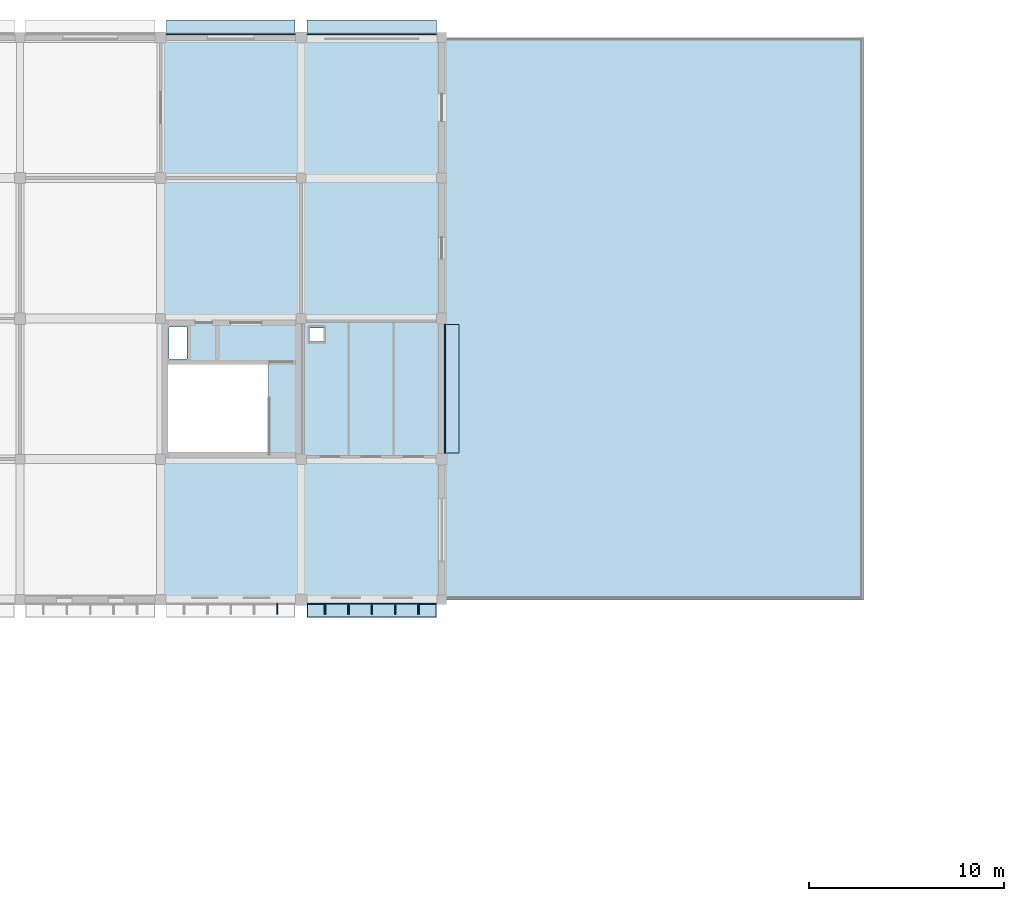
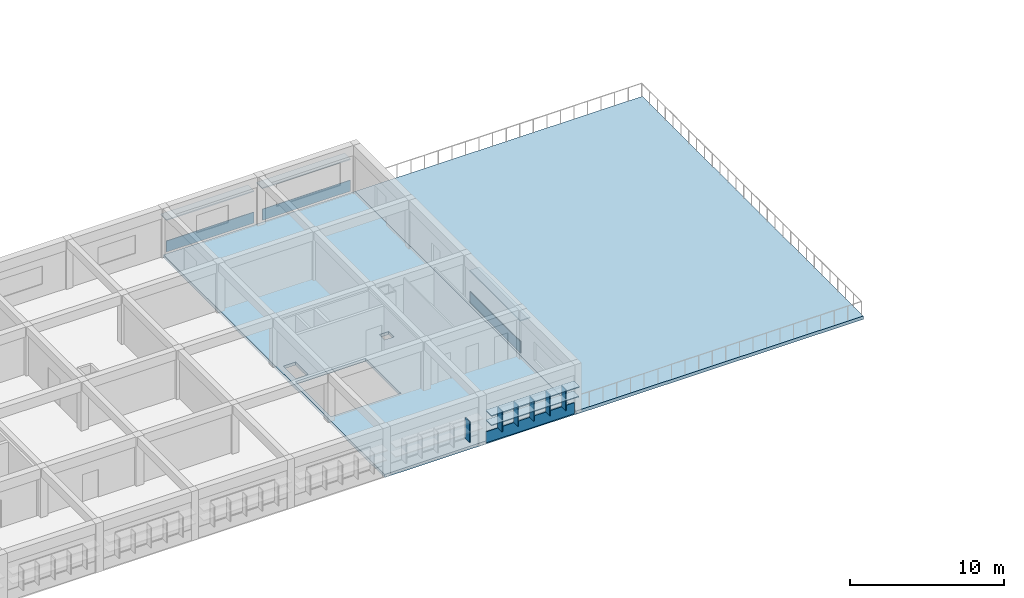
# One storey, part 9 of 22: 15 plates, 2 slabs.
"""IFC4 building model written with IfcOpenShell, lengths in metres."""

import ifcopenshell
import ifcopenshell.guid

model = None  # the IFC model being written
_history = None  # IfcOwnerHistory: only IFC2X3 demands one
_inside = {}  # id of a spatial element -> (the spatial element, [elements in it])
_under = {}  # id of a project, library or spatial element -> (it, [spatial elements below it])
_declared = {}  # id of a project -> (the project, [libraries it declares])
_typed = {}  # id of a type object -> (the type object, [elements of that type])
_made_of = {}  # id of a material, layer set ... -> (it, [elements and type objects made of it])


def new_model(schema):
    """Start an empty IFC model of exactly this schema.

    Asked for "IFC4X3", IfcOpenShell would pick the latest addendum, in which some entities
    have other attributes; the version numbers below select the first issue.
    IFC2X3 requires an IfcOwnerHistory on every rooted entity: one is made here for all.
    """
    global model, _history
    if schema == "IFC4X3":
        model = ifcopenshell.file(schema_version=(4, 3, 0, 0))
    else:
        model = ifcopenshell.file(schema=schema)
    _inside.clear()
    _under.clear()
    _declared.clear()
    _typed.clear()
    _made_of.clear()
    _history = None
    if model.schema == "IFC2X3":
        org = make("IfcOrganization", Name="unknown")
        user = make(
            "IfcPersonAndOrganization",
            ThePerson=make("IfcPerson", FamilyName="unknown"),
            TheOrganization=org,
        )
        app = make(
            "IfcApplication",
            ApplicationDeveloper=org,
            Version="unknown",
            ApplicationFullName="unknown",
            ApplicationIdentifier="unknown",
        )
        _history = make(
            "IfcOwnerHistory",
            OwningUser=user,
            OwningApplication=app,
            ChangeAction="ADDED",
            CreationDate=0,
        )
    return model


def make(cls, **values):
    """One entity of the class cls with the attributes given. An attribute that is None is left unset."""
    return model.create_entity(
        cls, **{name: value for name, value in values.items() if value is not None}
    )


def rooted(cls, **values):
    """An entity with a GlobalId (a new one), such as an element, a storey or a relation."""
    return make(cls, GlobalId=ifcopenshell.guid.new(), OwnerHistory=_history, **values)


def si_unit(unit_type, name, prefix=None):
    """IfcSIUnit, for example si_unit("LENGTHUNIT", "METRE", prefix="MILLI")."""
    return make("IfcSIUnit", UnitType=unit_type, Prefix=prefix, Name=name)


def assignment(units):
    """IfcUnitAssignment: the units of a project."""
    return None if units is None else make("IfcUnitAssignment", Units=units)


def point(xyz):
    """IfcCartesianPoint."""
    return None if xyz is None else make("IfcCartesianPoint", Coordinates=xyz)


def direction(xyz):
    """IfcDirection."""
    return None if xyz is None else make("IfcDirection", DirectionRatios=xyz)


def frame(location, z_axis=None, x_axis=None):
    """IfcAxis2Placement3D, a coordinate frame: its origin and axes. An axis left out is left unset."""
    return make(
        "IfcAxis2Placement3D",
        Location=point(location),
        Axis=direction(z_axis),
        RefDirection=direction(x_axis),
    )


def frame_2d(location, x_axis=None):
    """IfcAxis2Placement2D, a coordinate frame in the plane: its origin and x axis."""
    return make(
        "IfcAxis2Placement2D", Location=point(location), RefDirection=direction(x_axis)
    )


def origin():
    """The frame at (0, 0, 0) with its axes left unset."""
    return frame((0.0, 0.0, 0.0))


def origin_2d():
    """The frame at (0, 0) in the plane with its x axis left unset."""
    return frame_2d((0.0, 0.0))


def place(relative_to, where):
    """IfcLocalPlacement: puts the frame where relative to a parent placement (None: the world)."""
    return make(
        "IfcLocalPlacement", PlacementRelTo=relative_to, RelativePlacement=where
    )


def context(
    kind, dimensions, precision=None, world=None, true_north=None, identifier=None
):
    """IfcGeometricRepresentationContext, for example the 3D "Model" context."""
    return make(
        "IfcGeometricRepresentationContext",
        ContextIdentifier=identifier,
        ContextType=kind,
        CoordinateSpaceDimension=dimensions,
        Precision=precision,
        WorldCoordinateSystem=world,
        TrueNorth=true_north,
    )


def subcontext(parent, identifier, kind, view, scale=None):
    """IfcGeometricRepresentationSubContext, for example "Body" below "Model"."""
    return make(
        "IfcGeometricRepresentationSubContext",
        ContextIdentifier=identifier,
        ContextType=kind,
        ParentContext=parent,
        TargetScale=scale,
        TargetView=view,
    )


def project(units=None, contexts=None):
    """IfcProject with its units and contexts."""
    return rooted(
        "IfcProject",
        Name="project",
        RepresentationContexts=contexts,
        UnitsInContext=assignment(units),
    )


def spatial(cls, under=None, at=None, **own):
    """A site, building, storey or space (cls), placed at a placement, below another one or the project."""
    s = rooted(cls, ObjectPlacement=at, **own)
    if under is not None:
        _under.setdefault(under.id(), (under, []))[1].append(s)
    return s


def polyline(points):
    """IfcPolyline through the points."""
    return make("IfcPolyline", Points=[point(p) for p in points])


def profile(cls, at=None, kind="AREA", **sizes):
    """A parametric profile (cls). Its sizes go by their IFC names, for example OverallWidth=200.0."""
    return make(cls, ProfileType=kind, Position=at, **sizes)


def rectangle(**sizes):
    """IfcRectangleProfileDef."""
    return profile("IfcRectangleProfileDef", **sizes)


def outline(outer, holes=None, kind="AREA"):
    """IfcArbitraryClosedProfileDef: a profile drawn as a closed curve; with holes, ...WithVoids."""
    if holes is None:
        return make("IfcArbitraryClosedProfileDef", ProfileType=kind, OuterCurve=outer)
    return make(
        "IfcArbitraryProfileDefWithVoids",
        ProfileType=kind,
        OuterCurve=outer,
        InnerCurves=holes,
    )


def extrude(swept, where, along, depth):
    """IfcExtrudedAreaSolid: the profile swept, set in the frame where, extruded along a direction by depth."""
    return make(
        "IfcExtrudedAreaSolid",
        SweptArea=swept,
        Position=where,
        ExtrudedDirection=direction(along),
        Depth=depth,
    )


def shape(context_of_items, identifier, shape_type, items):
    """IfcShapeRepresentation: the items that make up one representation, for example the "Body"."""
    return make(
        "IfcShapeRepresentation",
        ContextOfItems=context_of_items,
        RepresentationIdentifier=identifier,
        RepresentationType=shape_type,
        Items=items,
    )


def material(Name=None, Category=None):
    """IfcMaterial."""
    return make("IfcMaterial", Name=Name, Category=Category)


def layer(
    of_material, thickness, ventilated=None, Name=None, Category=None, Priority=None
):
    """IfcMaterialLayer: one layer of a wall or slab, of a material (None: an air gap)."""
    return make(
        "IfcMaterialLayer",
        Material=of_material,
        LayerThickness=thickness,
        IsVentilated=ventilated,
        Name=Name,
        Category=Category,
        Priority=Priority,
    )


def layer_set(layers, Name=None):
    """IfcMaterialLayerSet."""
    return make("IfcMaterialLayerSet", MaterialLayers=layers, LayerSetName=Name)


def made_of(thing, what):
    """Note that an element or type object is made of a material, layer set ...; save() writes the relation."""
    if what is not None:
        _made_of.setdefault(what.id(), (what, []))[1].append(thing)
    return thing


def type_object(cls, material=None, **own):
    """A type object (cls), such as IfcWallType, which elements share."""
    return made_of(rooted(cls, **own), material)


def element(
    cls,
    number,
    at=None,
    inside=None,
    cuts=None,
    type_object=None,
    material=None,
    context=None,
    identifier="Body",
    shape_type=None,
    held_by="IfcProductDefinitionShape",
    body=None,
    shapes=None,
    **own,
):
    """One element of the class cls, such as IfcWall. Its Tag is "e" and its number.

    at: its placement. inside: the storey or other place that contains it. cuts: it is an
    opening in that element (IfcRelVoidsElement). A single representation is given by context,
    identifier, shape_type and body (its items); several are given by shapes. held_by: the class
    of the entity that holds the representations. save() writes the other relations.
    """
    e = rooted(cls, Tag="e%d" % number, ObjectPlacement=at, **own)
    if body is not None:
        shapes = [shape(context, identifier, shape_type, body)]
    if shapes is not None:
        e.Representation = make(held_by, Representations=shapes)
    if inside is not None:
        _inside.setdefault(inside.id(), (inside, []))[1].append(e)
    if cuts is not None:
        rooted(
            "IfcRelVoidsElement", RelatingBuildingElement=cuts, RelatedOpeningElement=e
        )
    if type_object is not None:
        _typed.setdefault(type_object.id(), (type_object, []))[1].append(e)
    return made_of(e, material)


def aggregate(whole, parts):
    """IfcRelAggregates: a whole, such as a stair, and the parts it consists of."""
    return rooted("IfcRelAggregates", RelatingObject=whole, RelatedObjects=parts)


def save(model, path):
    """Write the relations noted so far, then the file.

    IfcRelAggregates (storeys below a building ...), IfcRelContainedInSpatialStructure (elements
    in a storey), IfcRelDefinesByType, IfcRelAssociatesMaterial and IfcRelDeclares: one each for
    every whole, place, type object, material and project.
    """
    for whole, parts in _under.values():
        aggregate(whole, parts)
    for where, things in _inside.values():
        rooted(
            "IfcRelContainedInSpatialStructure",
            RelatedElements=things,
            RelatingStructure=where,
        )
    for kind, things in _typed.values():
        rooted("IfcRelDefinesByType", RelatedObjects=things, RelatingType=kind)
    for what, things in _made_of.values():
        rooted("IfcRelAssociatesMaterial", RelatedObjects=things, RelatingMaterial=what)
    for by, libraries in _declared.values():
        rooted("IfcRelDeclares", RelatingContext=by, RelatedDefinitions=libraries)
    model.write(path)


model = new_model("IFC4")

# Units and contexts
model_context = context("Model", 3, precision=1e-05, world=origin(), true_north=direction((0.0, 1.0)))
body_context = subcontext(model_context, "Body", "Model", "MODEL_VIEW")
ifc_project = project(units=[si_unit("LENGTHUNIT", "METRE"), si_unit("AREAUNIT", "SQUARE_METRE"), si_unit("VOLUMEUNIT", "CUBIC_METRE"), si_unit("PLANEANGLEUNIT", "RADIAN"), si_unit("MASSUNIT", "GRAM", prefix="KILO")], contexts=[model_context])

# Site, building, storey
site_placement = place(None, origin())
site = spatial("IfcSite", under=ifc_project, at=site_placement, CompositionType="ELEMENT")
building_placement = place(site_placement, origin())
building = spatial("IfcBuilding", under=site, at=building_placement, Name="Thalmaran Polytechnic", CompositionType="ELEMENT")
storey_placement = place(building_placement, frame((0.0, 0.0, 22.800048828125)))
storey = spatial("IfcBuildingStorey", under=building, at=storey_placement, Name="L05", CompositionType="ELEMENT", Elevation=22.800048828125)

# Plates
ifc_material_1 = material(Name="Anodised aluminium spandrel band", Category="aluminium")
ifc_layer_1 = layer(ifc_material_1, 0.054931640625, Name="Anodised aluminium spandrel band")
ifc_layer_set_1 = layer_set([ifc_layer_1], Name="Anodised aluminium spandrel band")
plate_type_1 = type_object("IfcPlateType", Name="PT-BD01", PredefinedType="SHEET", material=ifc_layer_set_1)
plate_1_placement = place(storey_placement, frame((61.1923828125, 122.570068359375, 0.02001953125), z_axis=(0.0, 0.0, 1.0), x_axis=(1.0, 0.0, 0.0)))
element("IfcPlate", 1, at=plate_1_placement, inside=storey, type_object=plate_type_1, Name="Streamline Horizontal Spandrel Band L05-019", PredefinedType="SHEET", context=body_context, shape_type="SweptSolid", body=[
    extrude(rectangle(XDim=6.594970703125, YDim=0.054931640625, at=origin_2d()), origin(), (0.0, 0.0, 1.0), 0.8798828125),
])
plate_2_placement = place(storey_placement, frame((68.419921875, 122.570068359375, 0.02001953125), z_axis=(0.0, 0.0, 1.0), x_axis=(1.0, 0.0, 0.0)))
element("IfcPlate", 2, at=plate_2_placement, inside=storey, type_object=plate_type_1, Name="Streamline Horizontal Spandrel Band L05-020", PredefinedType="SHEET", context=body_context, shape_type="SweptSolid", body=[
    extrude(rectangle(XDim=6.6201171875, YDim=0.054931640625, at=origin_2d()), origin(), (0.0, 0.0, 1.0), 0.8798828125),
])
plate_3_placement = place(storey_placement, frame((72.169921875, 104.407470703125, 0.02001953125), z_axis=(0.0, 0.0, 1.0), x_axis=(0.0, -1.0, 0.0)))
element("IfcPlate", 3, at=plate_3_placement, inside=storey, type_object=plate_type_1, Name="Streamline Horizontal Spandrel Band L05-023", PredefinedType="SHEET", context=body_context, shape_type="SweptSolid", body=[
    extrude(rectangle(XDim=6.594970703125, YDim=0.054931640625, at=origin_2d()), origin(), (0.0, 0.0, 1.0), 0.8798828125),
])
plate_4_placement = place(storey_placement, frame((68.419921875, 93.405029296875, 0.02001953125), z_axis=(0.0, 0.0, 1.0), x_axis=(-1.0, 0.0, 0.0)))
element("IfcPlate", 4, at=plate_4_placement, inside=storey, type_object=plate_type_1, Name="Streamline Horizontal Spandrel Band L05-025", PredefinedType="SHEET", context=body_context, shape_type="SweptSolid", body=[
    extrude(rectangle(XDim=6.6201171875, YDim=0.054931640625, at=origin_2d()), origin(), (0.0, 0.0, 1.0), 0.8798828125),
])
ifc_material_2 = material(Name="Anodised aluminium sun-hood eyebrow", Category="aluminium")
ifc_layer_2 = layer(ifc_material_2, 0.0849609375, Name="Anodised aluminium sun-hood eyebrow")
ifc_layer_set_2 = layer_set([ifc_layer_2], Name="Anodised aluminium sun-hood eyebrow")
plate_type_2 = type_object("IfcPlateType", Name="PT-EB01", PredefinedType="SHEET", material=ifc_layer_set_2)
plate_5_placement = place(storey_placement, frame((61.1923828125, 122.9150390625, 2.517578125), z_axis=(0.0, 0.0, 1.0), x_axis=(1.0, 0.0, 0.0)))
element("IfcPlate", 5, at=plate_5_placement, inside=storey, type_object=plate_type_2, Name="Streamline Sun-Hood Eyebrow L05-019", PredefinedType="SHEET", context=body_context, shape_type="SweptSolid", body=[
    extrude(rectangle(XDim=6.594970703125, YDim=0.760009765625, at=origin_2d()), origin(), (0.0, 0.0, 1.0), 0.0849609375),
])
plate_6_placement = place(storey_placement, frame((68.419921875, 122.9150390625, 2.517578125), z_axis=(0.0, 0.0, 1.0), x_axis=(1.0, 0.0, 0.0)))
element("IfcPlate", 6, at=plate_6_placement, inside=storey, type_object=plate_type_2, Name="Streamline Sun-Hood Eyebrow L05-020", PredefinedType="SHEET", context=body_context, shape_type="SweptSolid", body=[
    extrude(rectangle(XDim=6.6201171875, YDim=0.760009765625, at=origin_2d()), origin(), (0.0, 0.0, 1.0), 0.0849609375),
])
plate_7_placement = place(storey_placement, frame((72.514892578125, 104.407470703125, 2.517578125), z_axis=(0.0, 0.0, 1.0), x_axis=(0.0, -1.0, 0.0)))
element("IfcPlate", 7, at=plate_7_placement, inside=storey, type_object=plate_type_2, Name="Streamline Sun-Hood Eyebrow L05-023", PredefinedType="SHEET", context=body_context, shape_type="SweptSolid", body=[
    extrude(rectangle(XDim=6.594970703125, YDim=0.760009765625, at=origin_2d()), origin(), (0.0, 0.0, 1.0), 0.0849609375),
])
plate_8_placement = place(storey_placement, frame((68.419921875, 93.06005859375, 2.517578125), z_axis=(0.0, 0.0, 1.0), x_axis=(-1.0, 0.0, 0.0)))
element("IfcPlate", 8, at=plate_8_placement, inside=storey, type_object=plate_type_2, Name="Streamline Sun-Hood Eyebrow L05-025", PredefinedType="SHEET", context=body_context, shape_type="SweptSolid", body=[
    extrude(rectangle(XDim=6.6201171875, YDim=0.760009765625, at=origin_2d()), origin(), (0.0, 0.0, 1.0), 0.0849609375),
])
plate_9_placement = place(storey_placement, frame((68.419921875, 93.080078125, 1.74267578125), z_axis=(0.0, 0.0, 1.0), x_axis=(-1.0, 0.0, 0.0)))
element("IfcPlate", 9, at=plate_9_placement, inside=storey, type_object=plate_type_2, Name="Abu Dhabi Horizontal Solar Louvre L05-025", PredefinedType="SHEET", context=body_context, shape_type="SweptSolid", body=[
    extrude(rectangle(XDim=6.580078125, YDim=0.719970703125, at=origin_2d()), origin(), (0.0, 0.0, 1.0), 0.074951171875),
])
ifc_material_3 = material(Name="Anodised bronze brise-soleil fin")
ifc_layer_3 = layer(ifc_material_3, 0.06494140625, Name="Anodised bronze brise-soleil fin")
ifc_layer_set_3 = layer_set([ifc_layer_3], Name="Anodised bronze brise-soleil fin")
plate_type_3 = type_object("IfcPlateType", Name="PT-FN01", PredefinedType="SHEET", material=ifc_layer_set_3)
for number, where, z_axis, x_axis, name in (
    (10, (70.817626953125, 93.139892578125, 0.89501953125), (0.0, 0.0, 1.0), (-1.0, 0.0, 0.0), "Abu Dhabi Solar Brise-Soleil Fin L05-025-1"),
    (11, (69.618896484375, 93.139892578125, 0.89501953125), (0.0, 0.0, 1.0), (-1.0, 0.0, 0.0), "Abu Dhabi Solar Brise-Soleil Fin L05-025-2"),
    (12, (68.419921875, 93.139892578125, 0.89501953125), (0.0, 0.0, 1.0), (-1.0, 0.0, 0.0), "Abu Dhabi Solar Brise-Soleil Fin L05-025-3"),
    (13, (67.22119140625, 93.139892578125, 0.89501953125), (0.0, 0.0, 1.0), (-1.0, 0.0, 0.0), "Abu Dhabi Solar Brise-Soleil Fin L05-025-4"),
    (14, (66.0224609375, 93.139892578125, 0.89501953125), (0.0, 0.0, 1.0), (-1.0, 0.0, 0.0), "Abu Dhabi Solar Brise-Soleil Fin L05-025-5"),
    (15, (63.5810546875, 93.139892578125, 0.89501953125), (0.0, 0.0, 1.0), (-1.0, 0.0, 0.0), "Abu Dhabi Solar Brise-Soleil Fin L05-026-1"),
):
    element("IfcPlate", number, at=place(storey_placement, frame(where, z_axis=z_axis, x_axis=x_axis)), inside=storey, type_object=plate_type_3, Name=name, PredefinedType="SHEET", context=body_context, shape_type="SweptSolid", body=[
        extrude(rectangle(XDim=0.06494140625, YDim=0.56005859375, at=origin_2d()), origin(), (0.0, 0.0, 1.0), 1.64990234375),
    ])

# Slabs
ifc_material_4 = material(Name="Concrete C40/50", Category="concrete")
ifc_layer_4 = layer(ifc_material_4, 0.2451171875, Name="Concrete C40/50")
ifc_layer_set_4 = layer_set([ifc_layer_4], Name="Concrete C40/50")
slab_type_1 = type_object("IfcSlabType", Name="SL-FL07", PredefinedType="FLOOR", material=ifc_layer_set_4)
slab_1_placement = place(storey_placement, frame((0.0, 0.0, -0.2451171875)))
element("IfcSlab", 16, at=slab_1_placement, inside=storey, type_object=slab_type_1, Name="V2E L05 Structural Slab", PredefinedType="FLOOR", context=body_context, shape_type="SweptSolid", body=[
    extrude(outline(polyline([(64.800048828125, 122.39990234375), (72.0, 122.39990234375), (72.0, 115.199951171875), (72.0, 108.0), (72.0, 100.800048828125), (72.0, 93.60009765625), (64.800048828125, 93.60009765625), (57.60009765625, 93.60009765625), (57.60009765625, 100.800048828125), (57.60009765625, 108.0), (57.60009765625, 115.199951171875), (57.60009765625, 122.39990234375), (64.800048828125, 122.39990234375)]), holes=[polyline([(65.949951171875, 107.530029296875), (65.25, 107.530029296875), (65.25, 106.830078125), (65.949951171875, 106.830078125), (65.949951171875, 107.530029296875)]), polyline([(57.85009765625, 101.050048828125), (63.1201171875, 101.050048828125), (63.1201171875, 105.639892578125), (57.85009765625, 105.639892578125), (57.85009765625, 101.050048828125)]), polyline([(58.0400390625, 107.56005859375), (58.0400390625, 105.93994140625), (58.9599609375, 105.93994140625), (58.9599609375, 107.56005859375), (58.0400390625, 107.56005859375)])]), origin(), (0.0, 0.0, 1.0), 0.2451171875),
])
ifc_layer_5 = layer(ifc_material_4, 0.264892578125, Name="Concrete C40/50")
ifc_layer_set_5 = layer_set([ifc_layer_5], Name="Concrete C40/50")
slab_type_2 = type_object("IfcSlabType", Name="SL-TR02", PredefinedType="FLOOR", material=ifc_layer_set_5)
slab_2_placement = place(storey_placement, frame((0.0, 0.0, -0.26513671875)))
element("IfcSlab", 17, at=slab_2_placement, inside=storey, type_object=slab_type_2, Name="V2 L05 Outdoor Terrace Slab", PredefinedType="FLOOR", context=body_context, shape_type="SweptSolid", body=[
    extrude(outline(polyline([(72.0, 108.0), (72.0, 115.199951171875), (72.0, 122.39990234375), (79.199951171875, 122.39990234375), (86.39990234375, 122.39990234375), (93.60009765625, 122.39990234375), (93.60009765625, 115.199951171875), (93.60009765625, 108.0), (93.60009765625, 100.800048828125), (93.60009765625, 93.60009765625), (86.39990234375, 93.60009765625), (79.199951171875, 93.60009765625), (72.0, 93.60009765625), (72.0, 100.800048828125), (72.0, 108.0)])), origin(), (0.0, 0.0, 1.0), 0.26513671875),
])

save(model, "model.ifc")
